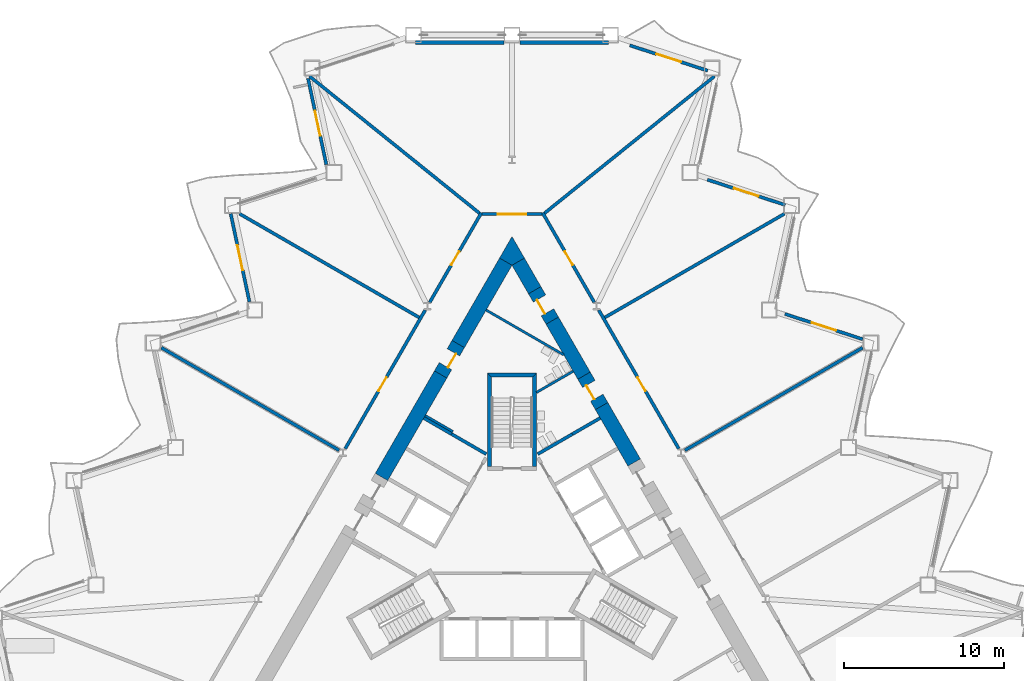
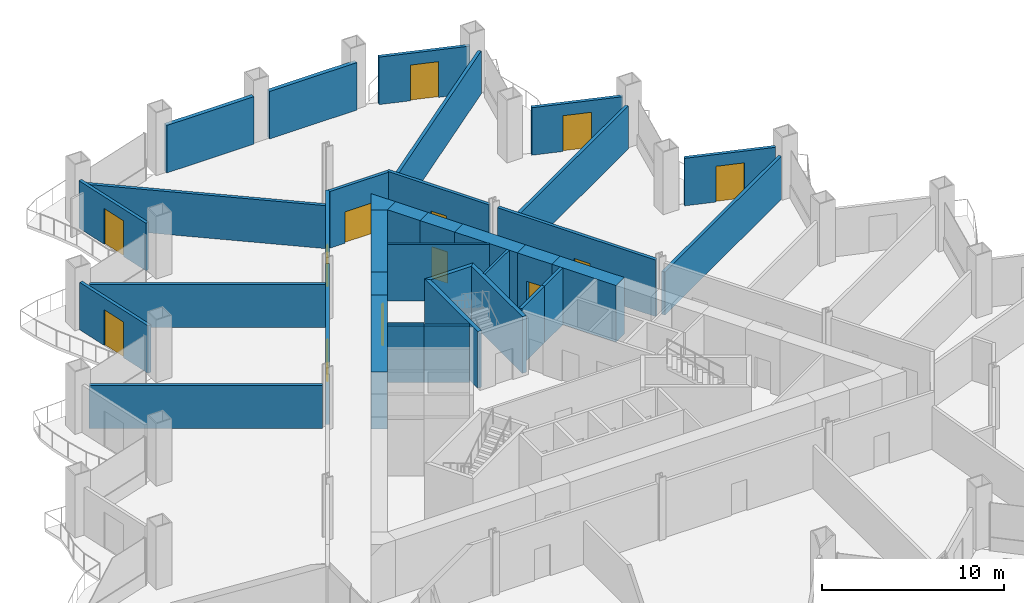
# One storey, part 12 of 21: 37 walls, 13 doors, 13 openings.
"""IFC4 building model written with IfcOpenShell, lengths in metres."""

from ifc_helpers import new_model, si_unit, direction, frame, frame_2d, origin, place, context, subcontext, project, spatial, polyline, rectangle, outline, extrude, material, layer, layer_set, type_object, element, fill, save


model = new_model("IFC4")

# Units and contexts
model_context = context("Model", 3, precision=1e-05, world=origin(), true_north=direction((0.0, 1.0)))
body_context = subcontext(model_context, "Body", "Model", "MODEL_VIEW")
ifc_project = project(units=[si_unit("LENGTHUNIT", "METRE"), si_unit("AREAUNIT", "SQUARE_METRE"), si_unit("VOLUMEUNIT", "CUBIC_METRE"), si_unit("PLANEANGLEUNIT", "RADIAN"), si_unit("MASSUNIT", "GRAM", prefix="KILO")], contexts=[model_context])

# Site, building, storey
site_placement = place(None, origin())
site = spatial("IfcSite", under=ifc_project, at=site_placement, CompositionType="ELEMENT")
building_placement = place(site_placement, origin())
building = spatial("IfcBuilding", under=site, at=building_placement, Name="Cormorant Prow Tower", CompositionType="ELEMENT")
storey_placement = place(building_placement, frame((0.0, 0.0, 42.60009765625)))
storey = spatial("IfcBuildingStorey", under=building, at=storey_placement, Name="L08", CompositionType="ELEMENT", Elevation=42.60009765625)

# Walls
ifc_material_1 = material(Name="Gypsum board partition")
ifc_layer_1 = layer(ifc_material_1, 0.14990234375)
ifc_layer_set_1 = layer_set([ifc_layer_1], Name="Gypsum board partition")
wall_type_1 = type_object("IfcWallType", Name="Core partition 150", PredefinedType="PARTITIONING", material=ifc_layer_set_1)
wall_1_placement = place(storey_placement, frame((-3.693359375, 7.4150390625, 0.0), z_axis=(0.0, 0.0, 1.0), x_axis=(-0.866035824272, 0.499981950752, 0.0)))
element("IfcWall", 1, at=wall_1_placement, inside=storey, type_object=wall_type_1, Name="Service room partition", PredefinedType="PARTITIONING", context=body_context, shape_type="SweptSolid", body=[
    extrude(rectangle(XDim=2.0087890625, YDim=0.14990234375, at=frame_2d((1.00439453125, 0.0))), origin(), (0.0, 0.0, 1.0), 3.7998046875),
])
wall_2_placement = place(storey_placement, frame((3.829345703125, 11.197265625, 0.0), z_axis=(0.0, 0.0, 1.0), x_axis=(-0.866016748302, -0.500014991436, 0.0)))
element("IfcWall", 2, at=wall_2_placement, inside=storey, type_object=wall_type_1, Name="Service room partition", PredefinedType="PARTITIONING", context=body_context, shape_type="SweptSolid", body=[
    extrude(rectangle(XDim=2.64892578125, YDim=0.14990234375, at=frame_2d((1.324462890625, 0.0))), origin(), (0.0, 0.0, 1.0), 3.7998046875),
])
wall_3_placement = place(storey_placement, frame((-1.61865234375, 15.0263671875, 0.0), z_axis=(0.0, 0.0, 1.0), x_axis=(0.866015917575, -0.500016430238, 0.0)))
element("IfcWall", 3, at=wall_3_placement, inside=storey, type_object=wall_type_1, Name="Service room partition", PredefinedType="PARTITIONING", context=body_context, shape_type="SweptSolid", body=[
    extrude(rectangle(XDim=5.607177734375, YDim=0.14990234375, at=frame_2d((2.8037109375, 0.0))), origin(), (0.0, 0.0, 1.0), 3.7998046875),
])
ifc_material_2 = material(Name="Concrete 8000 psi", Category="concrete")
ifc_layer_2 = layer(ifc_material_2, 0.89990234375)
ifc_layer_set_2 = layer_set([ifc_layer_2], Name="Concrete 8000 psi")
wall_type_2 = type_object("IfcWallType", Name="Core shear wall 900", PredefinedType="SHEAR", material=ifc_layer_set_2)
wall_4_placement = place(storey_placement, frame((7.646484375, 5.485595703125, 0.0), z_axis=(0.0, 0.0, 1.0), x_axis=(-0.499978218965, 0.866037978706, 0.0)))
element("IfcWall", 4, at=wall_4_placement, inside=storey, type_object=wall_type_2, Name="Core wall", PredefinedType="SHEAR", context=body_context, shape_type="SweptSolid", body=[
    extrude(rectangle(XDim=4.076416015625, YDim=0.89990234375, at=frame_2d((2.0380859375, 0.0))), origin(), (0.0, 0.0, 1.0), 3.7998046875),
])
wall_5_placement = place(storey_placement, frame((4.508544921875, 10.9208984375, 0.0), z_axis=(0.0, 0.0, 1.0), x_axis=(-0.49999004381, 0.866031151917, 0.0)))
element("IfcWall", 5, at=wall_5_placement, inside=storey, type_object=wall_type_2, Name="Core wall", PredefinedType="SHEAR", context=body_context, shape_type="SweptSolid", body=[
    extrude(rectangle(XDim=3.97509765625, YDim=0.89990234375, at=frame_2d((1.987548828125, 0.0))), origin(), (0.0, 0.0, 1.0), 3.7998046875),
])
wall_6_placement = place(storey_placement, frame((1.4208984375, 16.268798828125, 0.0), z_axis=(0.0, 0.0, 1.0), x_axis=(-0.500009360108, 0.866019999656, 0.0)))
element("IfcWall", 6, at=wall_6_placement, inside=storey, type_object=wall_type_2, Name="Core wall", PredefinedType="SHEAR", context=body_context, shape_type="SweptSolid", body=[
    extrude(rectangle(XDim=2.0625, YDim=0.89990234375, at=frame_2d((1.03125, 0.0))), origin(), (0.0, 0.0, 1.0), 3.7998046875),
])
wall_7_placement = place(storey_placement, frame((-4.465576171875, 10.995361328125, 0.0), z_axis=(0.0, 0.0, 1.0), x_axis=(-0.500012427149, -0.866018228848, 0.0)))
element("IfcWall", 7, at=wall_7_placement, inside=storey, type_object=wall_type_2, Name="Core wall", PredefinedType="SHEAR", context=body_context, shape_type="SweptSolid", body=[
    extrude(rectangle(XDim=7.409423828125, YDim=0.89990234375, at=frame_2d((3.70458984375, 0.0))), origin(), (0.0, 0.0, 1.0), 3.7998046875),
])
wall_8_placement = place(storey_placement, frame((-0.3896484375, 18.054931640625, 0.0), z_axis=(0.0, 0.0, 1.0), x_axis=(-0.499981657175, -0.86603599376, 0.0)))
element("IfcWall", 8, at=wall_8_placement, inside=storey, type_object=wall_type_2, Name="Core wall", PredefinedType="SHEAR", context=body_context, shape_type="SweptSolid", body=[
    extrude(rectangle(XDim=5.951904296875, YDim=0.89990234375, at=frame_2d((2.97607421875, 0.0))), origin(), (0.0, 0.0, 1.0), 3.7998046875),
])
wall_9_placement = place(storey_placement, origin())
element("IfcWall", 9, at=wall_9_placement, inside=storey, type_object=wall_type_2, Name="Core wall corner", PredefinedType="SHEAR", context=body_context, shape_type="SweptSolid", body=[
    extrude(outline(polyline([(-0.779296875, 18.27978515625), (0.0, 19.6298828125), (0.779296875, 18.27978515625), (0.0, 17.829833984375), (-0.779296875, 18.27978515625)])), origin(), (0.0, 0.0, 1.0), 3.7998046875),
])

# Wall, opening, door
wall_10_placement = place(storey_placement, frame((5.6083984375, 9.015869140625, 0.0), z_axis=(0.0, 0.0, 1.0), x_axis=(-0.499994660107, 0.866028486751, 0.0)))
wall_10 = element("IfcWall", 10, at=wall_10_placement, inside=storey, type_object=wall_type_2, Name="Core wall door panel", PredefinedType="SHEAR", context=body_context, shape_type="SweptSolid", body=[
    extrude(rectangle(XDim=2.19970703125, YDim=0.89990234375, at=frame_2d((1.099853515625, 0.0))), origin(), (0.0, 0.0, 1.0), 3.7998046875),
])
opening_1_placement = place(wall_10_placement, frame((0.60009765625, 0.0, 0.0)))
opening_1 = element("IfcOpeningElement", 11, at=opening_1_placement, cuts=wall_10, Name="Opening L08-C21", PredefinedType="OPENING", context=body_context, shape_type="SweptSolid", body=[
    extrude(rectangle(XDim=1.0, YDim=2.10009765625, at=frame_2d((0.5, 1.050048828125))), frame((0.0, 0.4599609375, 0.0), z_axis=(0.0, -1.0, 0.0), x_axis=(1.0, 0.0, 0.0)), (0.0, 0.0, 1.0), 0.919921875),
])
ifc_material_3 = material(Name="Painted steel", Category="steel")
door_type_1 = type_object("IfcDoorType", Name="Service door 1000x2100", OperationType="NOTDEFINED", PredefinedType="DOOR", material=ifc_material_3)
door_1_placement = place(opening_1_placement, origin())
door_1 = element("IfcDoor", 12, at=door_1_placement, inside=storey, type_object=door_type_1, Name="Core door, Toilets (men) L08", OperationType="SINGLE_SWING_LEFT", OverallHeight=2.10009765625, OverallWidth=1.0, PredefinedType="DOOR", context=body_context, shape_type="SweptSolid", body=[
    extrude(rectangle(XDim=1.0, YDim=2.10009765625, at=frame_2d((0.5, 1.050048828125))), frame((0.0, 0.205078125, 0.0), z_axis=(0.0, -1.0, 0.0), x_axis=(1.0, 0.0, 0.0)), (0.0, 0.0, 1.0), 0.050048828125),
])
fill(opening_1, door_1)

wall_11_placement = place(storey_placement, frame((-3.365478515625, 12.900390625, 0.0), z_axis=(0.0, 0.0, 1.0), x_axis=(-0.500077893725, -0.86598042715, 0.0)))
wall_11 = element("IfcWall", 13, at=wall_11_placement, inside=storey, type_object=wall_type_2, Name="Core wall door panel", PredefinedType="SHEAR", context=body_context, shape_type="SweptSolid", body=[
    extrude(rectangle(XDim=2.199951171875, YDim=0.89990234375, at=frame_2d((1.10009765625, 0.0))), origin(), (0.0, 0.0, 1.0), 3.7998046875),
])
opening_2_placement = place(wall_11_placement, frame((0.60009765625, 0.0, 0.0)))
opening_2 = element("IfcOpeningElement", 14, at=opening_2_placement, cuts=wall_11, Name="Opening L08-C22", PredefinedType="OPENING", context=body_context, shape_type="SweptSolid", body=[
    extrude(rectangle(XDim=1.0, YDim=2.10009765625, at=frame_2d((0.5, 1.050048828125))), frame((0.0, 0.4599609375, 0.0), z_axis=(0.0, -1.0, 0.0), x_axis=(1.0, 0.0, 0.0)), (0.0, 0.0, 1.0), 0.919921875),
])
door_2_placement = place(opening_2_placement, origin())
door_2 = element("IfcDoor", 15, at=door_2_placement, inside=storey, type_object=door_type_1, Name="Core door, Toilets (women) L08", OperationType="SINGLE_SWING_LEFT", OverallHeight=2.10009765625, OverallWidth=1.0, PredefinedType="DOOR", context=body_context, shape_type="SweptSolid", body=[
    extrude(rectangle(XDim=1.0, YDim=2.10009765625, at=frame_2d((0.5, 1.050048828125))), frame((0.0, 0.205078125, 0.0), z_axis=(0.0, -1.0, 0.0), x_axis=(1.0, 0.0, 0.0)), (0.0, 0.0, 1.0), 0.050048828125),
])
fill(opening_2, door_2)

wall_12_placement = place(storey_placement, frame((2.52099609375, 14.363525390625, 0.0), z_axis=(0.0, 0.0, 1.0), x_axis=(-0.50002983664, 0.866008176907, 0.0)))
wall_12 = element("IfcWall", 16, at=wall_12_placement, inside=storey, type_object=wall_type_2, Name="Core wall door panel", PredefinedType="SHEAR", context=body_context, shape_type="SweptSolid", body=[
    extrude(rectangle(XDim=2.199951171875, YDim=0.89990234375, at=frame_2d((1.10009765625, 0.0))), origin(), (0.0, 0.0, 1.0), 3.7998046875),
])
opening_3_placement = place(wall_12_placement, frame((0.60009765625, 0.0, 0.0)))
opening_3 = element("IfcOpeningElement", 17, at=opening_3_placement, cuts=wall_12, Name="Opening L08-C23", PredefinedType="OPENING", context=body_context, shape_type="SweptSolid", body=[
    extrude(rectangle(XDim=1.0, YDim=2.10009765625, at=frame_2d((0.5, 1.050048828125))), frame((0.0, 0.4599609375, 0.0), z_axis=(0.0, -1.0, 0.0), x_axis=(1.0, 0.0, 0.0)), (0.0, 0.0, 1.0), 0.919921875),
])
door_3_placement = place(opening_3_placement, origin())
door_3 = element("IfcDoor", 18, at=door_3_placement, inside=storey, type_object=door_type_1, Name="Core door, Telecom room", OperationType="SINGLE_SWING_LEFT", OverallHeight=2.10009765625, OverallWidth=1.0, PredefinedType="DOOR", context=body_context, shape_type="SweptSolid", body=[
    extrude(rectangle(XDim=1.0, YDim=2.10009765625, at=frame_2d((0.5, 1.050048828125))), frame((0.0, 0.205078125, 0.0), z_axis=(0.0, -1.0, 0.0), x_axis=(1.0, 0.0, 0.0)), (0.0, 0.0, 1.0), 0.050048828125),
])
fill(opening_3, door_3)

ifc_material_4 = material(Name="Gypsum board corridor wall")
ifc_layer_3 = layer(ifc_material_4, 0.199951171875)
ifc_layer_set_3 = layer_set([ifc_layer_3], Name="Gypsum board corridor wall")
wall_type_3 = type_object("IfcWallType", Name="Corridor wall 200", PredefinedType="PARTITIONING", material=ifc_layer_set_3)
wall_13_placement = place(storey_placement, frame((-10.438720703125, 6.349853515625, 0.0), z_axis=(0.0, 0.0, 1.0), x_axis=(0.50001002959, 0.86601961312, 0.0)))
wall_13 = element("IfcWall", 19, at=wall_13_placement, inside=storey, type_object=wall_type_3, Name="Corridor wall", PredefinedType="PARTITIONING", context=body_context, shape_type="SweptSolid", body=[
    extrude(rectangle(XDim=10.018798828125, YDim=0.199951171875, at=frame_2d((5.00927734375, 0.0))), origin(), (0.0, 0.0, 1.0), 3.7998046875),
])
opening_4_placement = place(wall_13_placement, frame((4.15869140625, 0.0, 0.0)))
opening_4 = element("IfcOpeningElement", 20, at=opening_4_placement, cuts=wall_13, Name="Opening L08-F15", PredefinedType="OPENING", context=body_context, shape_type="SweptSolid", body=[
    extrude(rectangle(XDim=1.0, YDim=2.10009765625, at=frame_2d((0.5, 1.050048828125))), frame((0.0, 0.10986328125, 0.0), z_axis=(0.0, -1.0, 0.0), x_axis=(1.0, 0.0, 0.0)), (0.0, 0.0, 1.0), 0.219970703125),
])
ifc_material_5 = material(Name="Timber door leaf", Category="wood")
door_type_2 = type_object("IfcDoorType", Name="Office door 1000x2100", OperationType="NOTDEFINED", PredefinedType="DOOR", material=ifc_material_5)
door_4_placement = place(opening_4_placement, origin())
door_4 = element("IfcDoor", 21, at=door_4_placement, inside=storey, type_object=door_type_2, Name="Tenant suite door", OperationType="SINGLE_SWING_RIGHT", OverallHeight=2.10009765625, OverallWidth=1.0, PredefinedType="DOOR", context=body_context, shape_type="SweptSolid", body=[
    extrude(rectangle(XDim=1.0, YDim=2.10009765625, at=frame_2d((0.5, 1.050048828125))), frame((0.0, 0.02490234375, 0.0), z_axis=(0.0, -1.0, 0.0), x_axis=(1.0, 0.0, 0.0)), (0.0, 0.0, 1.0), 0.050048828125),
])
fill(opening_4, door_4)

wall_14_placement = place(storey_placement, frame((5.42919921875, 15.0263671875, 0.0), z_axis=(0.0, 0.0, 1.0), x_axis=(0.50001002959, -0.86601961312, 0.0)))
wall_14 = element("IfcWall", 22, at=wall_14_placement, inside=storey, type_object=wall_type_3, Name="Corridor wall", PredefinedType="PARTITIONING", context=body_context, shape_type="SweptSolid", body=[
    extrude(rectangle(XDim=10.018798828125, YDim=0.199951171875, at=frame_2d((5.00927734375, 0.0))), origin(), (0.0, 0.0, 1.0), 3.7998046875),
])
opening_5_placement = place(wall_14_placement, frame((4.860107421875, 0.0, 0.0)))
opening_5 = element("IfcOpeningElement", 23, at=opening_5_placement, cuts=wall_14, Name="Opening L08-F11", PredefinedType="OPENING", context=body_context, shape_type="SweptSolid", body=[
    extrude(rectangle(XDim=1.0, YDim=2.10009765625, at=frame_2d((0.5, 1.050048828125))), frame((0.0, 0.10986328125, 0.0), z_axis=(0.0, -1.0, 0.0), x_axis=(1.0, 0.0, 0.0)), (0.0, 0.0, 1.0), 0.219970703125),
])
door_5_placement = place(opening_5_placement, origin())
door_5 = element("IfcDoor", 24, at=door_5_placement, inside=storey, type_object=door_type_2, Name="Co-working room door", OperationType="SINGLE_SWING_LEFT", OverallHeight=2.10009765625, OverallWidth=1.0, PredefinedType="DOOR", context=body_context, shape_type="SweptSolid", body=[
    extrude(rectangle(XDim=1.0, YDim=2.10009765625, at=frame_2d((0.5, 1.050048828125))), frame((0.0, 0.02490234375, 0.0), z_axis=(0.0, -1.0, 0.0), x_axis=(1.0, 0.0, 0.0)), (0.0, 0.0, 1.0), 0.050048828125),
])
fill(opening_5, door_5)

wall_15_placement = place(storey_placement, frame((1.9130859375, 21.116455078125, 0.0), z_axis=(0.0, 0.0, 1.0), x_axis=(0.500001069878, -0.866024786089, 0.0)))
wall_15 = element("IfcWall", 25, at=wall_15_placement, inside=storey, type_object=wall_type_3, Name="Corridor wall", PredefinedType="PARTITIONING", context=body_context, shape_type="SweptSolid", body=[
    extrude(rectangle(XDim=6.47265625, YDim=0.199951171875, at=frame_2d((3.236328125, 0.0))), origin(), (0.0, 0.0, 1.0), 3.7998046875),
])
opening_6_placement = place(wall_15_placement, frame((2.787109375, 0.0, 0.0)))
opening_6 = element("IfcOpeningElement", 26, at=opening_6_placement, cuts=wall_15, Name="Opening L08-F12", PredefinedType="OPENING", context=body_context, shape_type="SweptSolid", body=[
    extrude(rectangle(XDim=1.0, YDim=2.10009765625, at=frame_2d((0.5, 1.050048828125))), frame((0.0, 0.10986328125, 0.0), z_axis=(0.0, -1.0, 0.0), x_axis=(1.0, 0.0, 0.0)), (0.0, 0.0, 1.0), 0.219970703125),
])
door_6_placement = place(opening_6_placement, origin())
door_6 = element("IfcDoor", 27, at=door_6_placement, inside=storey, type_object=door_type_2, Name="Tenant suite door", OperationType="SINGLE_SWING_LEFT", OverallHeight=2.10009765625, OverallWidth=1.0, PredefinedType="DOOR", context=body_context, shape_type="SweptSolid", body=[
    extrude(rectangle(XDim=1.0, YDim=2.10009765625, at=frame_2d((0.5, 1.050048828125))), frame((0.0, 0.02490234375, 0.0), z_axis=(0.0, -1.0, 0.0), x_axis=(1.0, 0.0, 0.0)), (0.0, 0.0, 1.0), 0.050048828125),
])
fill(opening_6, door_6)

wall_16_placement = place(storey_placement, frame((-5.1494140625, 15.510986328125, 0.0), z_axis=(0.0, 0.0, 1.0), x_axis=(0.500001069878, 0.866024786089, 0.0)))
wall_16 = element("IfcWall", 28, at=wall_16_placement, inside=storey, type_object=wall_type_3, Name="Corridor wall", PredefinedType="PARTITIONING", context=body_context, shape_type="SweptSolid", body=[
    extrude(rectangle(XDim=6.47265625, YDim=0.199951171875, at=frame_2d((3.236328125, 0.0))), origin(), (0.0, 0.0, 1.0), 3.7998046875),
])
opening_7_placement = place(wall_16_placement, frame((2.685546875, 0.0, 0.0)))
opening_7 = element("IfcOpeningElement", 29, at=opening_7_placement, cuts=wall_16, Name="Opening L08-F14", PredefinedType="OPENING", context=body_context, shape_type="SweptSolid", body=[
    extrude(rectangle(XDim=1.0, YDim=2.10009765625, at=frame_2d((0.5, 1.050048828125))), frame((0.0, 0.10986328125, 0.0), z_axis=(0.0, -1.0, 0.0), x_axis=(1.0, 0.0, 0.0)), (0.0, 0.0, 1.0), 0.219970703125),
])
door_7_placement = place(opening_7_placement, origin())
door_7 = element("IfcDoor", 30, at=door_7_placement, inside=storey, type_object=door_type_2, Name="Open-plan office door", OperationType="SINGLE_SWING_RIGHT", OverallHeight=2.10009765625, OverallWidth=1.0, PredefinedType="DOOR", context=body_context, shape_type="SweptSolid", body=[
    extrude(rectangle(XDim=1.0, YDim=2.10009765625, at=frame_2d((0.5, 1.050048828125))), frame((0.0, 0.02490234375, 0.0), z_axis=(0.0, -1.0, 0.0), x_axis=(1.0, 0.0, 0.0)), (0.0, 0.0, 1.0), 0.050048828125),
])
fill(opening_7, door_7)

wall_17_placement = place(storey_placement, frame((-1.863037109375, 21.02978515625, 0.0), z_axis=(0.0, 0.0, 1.0), x_axis=(1.0, 0.0, 0.0)))
wall_17 = element("IfcWall", 31, at=wall_17_placement, inside=storey, type_object=wall_type_3, Name="Corridor wall", PredefinedType="PARTITIONING", context=body_context, shape_type="SweptSolid", body=[
    extrude(rectangle(XDim=3.72607421875, YDim=0.199951171875, at=frame_2d((1.863037109375, 0.0))), origin(), (0.0, 0.0, 1.0), 3.7998046875),
])
opening_8_placement = place(wall_17_placement, frame((0.962890625, 0.0, 0.0)))
opening_8 = element("IfcOpeningElement", 32, at=opening_8_placement, cuts=wall_17, Name="Opening L08-F13", PredefinedType="OPENING", context=body_context, shape_type="SweptSolid", body=[
    extrude(rectangle(XDim=1.800048828125, YDim=2.10009765625, at=frame_2d((0.89990234375, 1.050048828125))), frame((0.0, 0.10986328125, 0.0), z_axis=(0.0, -1.0, 0.0), x_axis=(1.0, 0.0, 0.0)), (0.0, 0.0, 1.0), 0.219970703125),
])
ifc_material_6 = material(Name="Timber door leaf", Category="wood")
door_type_3 = type_object("IfcDoorType", Name="Double door 1800x2100", OperationType="DOUBLE_DOOR_SINGLE_SWING", PredefinedType="DOOR", material=ifc_material_6)
door_8_placement = place(opening_8_placement, origin())
door_8 = element("IfcDoor", 33, at=door_8_placement, inside=storey, type_object=door_type_3, Name="Open-plan office door", OperationType="DOUBLE_DOOR_SINGLE_SWING", OverallHeight=2.10009765625, OverallWidth=1.800048828125, PredefinedType="DOOR", context=body_context, shape_type="SweptSolid", body=[
    extrude(rectangle(XDim=1.800048828125, YDim=2.10009765625, at=frame_2d((0.89990234375, 1.050048828125))), frame((0.0, 0.02490234375, 0.0), z_axis=(0.0, -1.0, 0.0), x_axis=(1.0, 0.0, 0.0)), (0.0, 0.0, 1.0), 0.050048828125),
])
fill(opening_8, door_8)

# Walls
ifc_material_7 = material(Name="Gypsum board demising wall")
ifc_layer_4 = layer(ifc_material_7, 0.199951171875)
ifc_layer_set_4 = layer_set([ifc_layer_4], Name="Gypsum board demising wall")
wall_type_4 = type_object("IfcWallType", Name="Demising wall 200", PredefinedType="PARTITIONING", material=ifc_layer_set_4)
for number, where, z_axis, x_axis, name in (
    (34, (2.041015625, 21.092529296875, 0.0), (0.0, 0.0, 1.0), (0.778730857737, 0.627358152261, 0.0), "Demising wall"),
    (35, (-12.674072265625, 29.65869140625, 0.0), (0.0, 0.0, 1.0), (0.778730857737, -0.627358152261, 0.0), "Demising wall"),
):
    element("IfcWall", number, at=place(storey_placement, frame(where, z_axis=z_axis, x_axis=x_axis)), inside=storey, type_object=wall_type_4, Name=name, PredefinedType="PARTITIONING", context=body_context, shape_type="SweptSolid", body=[
        extrude(rectangle(XDim=13.654296875, YDim=0.199951171875, at=frame_2d((6.8271484375, 0.0))), origin(), (0.0, 0.0, 1.0), 2.88525390625),
    ])
for number, where, z_axis, x_axis, name in (
    (36, (5.8125, 14.5625, 0.0), (0.0, 0.0, 1.0), (0.866020631549, 0.500008265664, 0.0), "Demising wall"),
    (37, (-17.061279296875, 21.05712890625, 0.0), (0.0, 0.0, 1.0), (0.866020631549, -0.500008265664, 0.0), "Demising wall"),
):
    element("IfcWall", number, at=place(storey_placement, frame(where, z_axis=z_axis, x_axis=x_axis)), inside=storey, type_object=wall_type_4, Name=name, PredefinedType="PARTITIONING", context=body_context, shape_type="SweptSolid", body=[
        extrude(rectangle(XDim=12.989013671875, YDim=0.199951171875, at=frame_2d((6.49462890625, 0.0))), origin(), (0.0, 0.0, 1.0), 2.88525390625),
    ])
for number, where, z_axis, x_axis, name in (
    (38, (10.82080078125, 6.247314453125, 0.0), (0.0, 0.0, 1.0), (0.866026729935, 0.499997703033, 0.0), "Demising wall"),
    (39, (-21.947265625, 12.671142578125, 0.0), (0.0, 0.0, 1.0), (0.866026729935, -0.499997703033, 0.0), "Demising wall"),
):
    element("IfcWall", number, at=place(storey_placement, frame(where, z_axis=z_axis, x_axis=x_axis)), inside=storey, type_object=wall_type_4, Name=name, PredefinedType="PARTITIONING", context=body_context, shape_type="SweptSolid", body=[
        extrude(rectangle(XDim=12.84765625, YDim=0.199951171875, at=frame_2d((6.423828125, 0.0))), origin(), (0.0, 0.0, 1.0), 2.88525390625),
    ])
ifc_material_8 = material(Name="Concrete 8000 psi", Category="concrete")
ifc_layer_5 = layer(ifc_material_8, 0.199951171875)
ifc_layer_set_5 = layer_set([ifc_layer_5], Name="Concrete 8000 psi")
wall_type_5 = type_object("IfcWallType", Name="Lift shaft wall 200", PredefinedType="SHEAR", material=ifc_layer_set_5)
wall_18_placement = place(storey_placement, origin())
element("IfcWall", 40, at=wall_18_placement, inside=storey, type_object=wall_type_5, Name="Lift shaft walls, ENE block", PredefinedType="SHEAR", context=body_context, shape_type="SweptSolid", body=[
    extrude(outline(polyline([(1.560546875, 6.09716796875), (3.730712890625, 7.35009765625), (3.830810546875, 7.177001953125), (1.660400390625, 5.923828125), (1.560546875, 6.09716796875)])), origin(), (0.0, 0.0, 1.0), 3.7998046875),
])
wall_19_placement = place(storey_placement, frame((3.78076171875, 7.263427734375, 0.0), z_axis=(0.0, 0.0, 1.0), x_axis=(0.865983199114, 0.50007309351, 0.0)))
element("IfcWall", 41, at=wall_19_placement, inside=storey, type_object=wall_type_5, Name="Store side wall", PredefinedType="SHEAR", context=body_context, shape_type="SweptSolid", body=[
    extrude(rectangle(XDim=2.009033203125, YDim=0.199951171875, at=frame_2d((1.00439453125, 0.0))), origin(), (0.0, 0.0, 1.0), 3.7998046875),
])
wall_20_placement = place(storey_placement, origin())
element("IfcWall", 42, at=wall_20_placement, inside=storey, type_object=wall_type_5, Name="Lift shaft walls, WNW block", PredefinedType="SHEAR", context=body_context, shape_type="SweptSolid", body=[
    extrude(outline(polyline([(-3.730712890625, 7.35009765625), (-1.560546875, 6.09716796875), (-1.660400390625, 5.923828125), (-3.830810546875, 7.177001953125), (-3.730712890625, 7.35009765625)])), origin(), (0.0, 0.0, 1.0), 3.7998046875),
])
wall_21_placement = place(storey_placement, frame((-3.78076171875, 7.263427734375, 0.0), z_axis=(0.0, 0.0, 1.0), x_axis=(-0.865983199114, 0.50007309351, 0.0)))
element("IfcWall", 43, at=wall_21_placement, inside=storey, type_object=wall_type_5, Name="Store side wall", PredefinedType="SHEAR", context=body_context, shape_type="SweptSolid", body=[
    extrude(rectangle(XDim=2.009033203125, YDim=0.199951171875, at=frame_2d((1.00439453125, 0.0))), origin(), (0.0, 0.0, 1.0), 3.7998046875),
])
ifc_material_9 = material(Name="Concrete 8000 psi", Category="concrete")
ifc_layer_6 = layer(ifc_material_9, 0.25)
ifc_layer_set_6 = layer_set([ifc_layer_6], Name="Concrete 8000 psi")
wall_type_6 = type_object("IfcWallType", Name="Stair wall 250", PredefinedType="SHEAR", material=ifc_layer_set_6)
wall_22_placement = place(storey_placement, origin())
element("IfcWall", 44, at=wall_22_placement, inside=storey, type_object=wall_type_6, Name="Stair ST3 enclosure wall (flank)", PredefinedType="SHEAR", context=body_context, shape_type="SweptSolid", body=[
    extrude(outline(polyline([(1.5439453125, 5.23681640625), (1.5439453125, 11.0869140625), (1.2939453125, 10.8369140625), (1.2939453125, 5.23681640625), (1.5439453125, 5.23681640625)])), origin(), (0.0, 0.0, 1.0), 3.7998046875),
])
wall_23_placement = place(storey_placement, origin())
element("IfcWall", 45, at=wall_23_placement, inside=storey, type_object=wall_type_6, Name="Stair ST3 enclosure wall (end)", PredefinedType="SHEAR", context=body_context, shape_type="SweptSolid", body=[
    extrude(outline(polyline([(1.5439453125, 11.0869140625), (-1.5439453125, 11.0869140625), (-1.2939453125, 10.8369140625), (1.2939453125, 10.8369140625), (1.5439453125, 11.0869140625)])), origin(), (0.0, 0.0, 1.0), 3.7998046875),
])
wall_24_placement = place(storey_placement, origin())
element("IfcWall", 46, at=wall_24_placement, inside=storey, type_object=wall_type_6, Name="Stair ST3 enclosure wall (flank)", PredefinedType="SHEAR", context=body_context, shape_type="SweptSolid", body=[
    extrude(outline(polyline([(-1.2939453125, 10.8369140625), (-1.5439453125, 11.0869140625), (-1.5439453125, 5.23681640625), (-1.2939453125, 5.23681640625), (-1.2939453125, 10.8369140625)])), origin(), (0.0, 0.0, 1.0), 3.7998046875),
])
ifc_material_10 = material(Name="Terracotta", Category="masonry")
ifc_layer_7 = layer(ifc_material_10, 0.25)
ifc_layer_set_7 = layer_set([ifc_layer_7], Name="Terracotta")
wall_type_7 = type_object("IfcWallType", Name="Terracotta bay wall 250", PredefinedType="SOLIDWALL", material=ifc_layer_set_7)
for number, where, z_axis, x_axis, name in (
    (47, (6.03369140625, 31.78125, 0.0), (0.0, 0.0, 1.0), (-1.0, 0.0, 0.0), "Terracotta bay wall N00"),
    (48, (-0.5, 31.78125, 0.0), (0.0, 0.0, 1.0), (-1.0, 0.0, 0.0), "Terracotta bay wall N01"),
):
    element("IfcWall", number, at=place(storey_placement, frame(where, z_axis=z_axis, x_axis=x_axis)), inside=storey, type_object=wall_type_7, Name=name, PredefinedType="SOLIDWALL", context=body_context, shape_type="SweptSolid", body=[
        extrude(rectangle(XDim=5.53369140625, YDim=0.25, at=frame_2d((2.766845703125, 0.0))), origin(), (0.0, 0.0, 1.0), 3.188720703125),
    ])

# Wall, opening, door
ifc_material_11 = material(Name="Terracotta", Category="masonry")
ifc_layer_8 = layer(ifc_material_11, 0.199951171875)
ifc_layer_set_8 = layer_set([ifc_layer_8], Name="Terracotta")
wall_type_8 = type_object("IfcWallType", Name="Terracotta jamb wall 200", PredefinedType="SOLIDWALL", material=ifc_layer_set_8)
wall_25_placement = place(storey_placement, frame((21.952880859375, 13.200439453125, 0.0), z_axis=(0.0, 0.0, 1.0), x_axis=(-0.951052624268, 0.309028972547, 0.0)))
wall_25 = element("IfcWall", 49, at=wall_25_placement, inside=storey, type_object=wall_type_8, Name="Terracotta jamb wall ENE05", PredefinedType="SOLIDWALL", context=body_context, shape_type="SweptSolid", body=[
    extrude(rectangle(XDim=5.1240234375, YDim=0.199951171875, at=frame_2d((2.56201171875, 0.0))), origin(), (0.0, 0.0, 1.0), 3.188720703125),
])
opening_9_placement = place(wall_25_placement, frame((1.761962890625, 0.0, 0.0)))
opening_9 = element("IfcOpeningElement", 50, at=opening_9_placement, cuts=wall_25, Name="Opening ED08.08", PredefinedType="OPENING", context=body_context, shape_type="SweptSolid", body=[
    extrude(rectangle(XDim=1.60009765625, YDim=2.39990234375, at=frame_2d((0.800048828125, 1.199951171875))), frame((0.0, 0.10986328125, 0.0), z_axis=(0.0, -1.0, 0.0), x_axis=(1.0, 0.0, 0.0)), (0.0, 0.0, 1.0), 0.219970703125),
])
ifc_material_12 = material(Name="Aluminium 6063-T6", Category="aluminium")
door_type_4 = type_object("IfcDoorType", Name="Balcony door 1600x2400", OperationType="DOUBLE_DOOR_SINGLE_SWING", PredefinedType="DOOR", material=ifc_material_12)
door_9_placement = place(opening_9_placement, origin())
door_9 = element("IfcDoor", 51, at=door_9_placement, inside=storey, type_object=door_type_4, Name="Balcony door ENE05 ED08.08", OperationType="DOUBLE_DOOR_SINGLE_SWING", OverallHeight=2.39990234375, OverallWidth=1.60009765625, PredefinedType="DOOR", context=body_context, shape_type="SweptSolid", body=[
    extrude(rectangle(XDim=1.60009765625, YDim=2.39990234375, at=frame_2d((0.800048828125, 1.199951171875))), frame((0.0, 0.02490234375, 0.0), z_axis=(0.0, -1.0, 0.0), x_axis=(1.0, 0.0, 0.0)), (0.0, 0.0, 1.0), 0.050048828125),
])
fill(opening_9, door_9)

wall_26_placement = place(storey_placement, frame((17.10009765625, 21.60546875, 0.0), z_axis=(0.0, 0.0, 1.0), x_axis=(-0.951048073862, 0.309042976306, 0.0)))
wall_26 = element("IfcWall", 52, at=wall_26_placement, inside=storey, type_object=wall_type_8, Name="Terracotta jamb wall ENE07", PredefinedType="SOLIDWALL", context=body_context, shape_type="SweptSolid", body=[
    extrude(rectangle(XDim=5.123779296875, YDim=0.199951171875, at=frame_2d((2.56201171875, 0.0))), origin(), (0.0, 0.0, 1.0), 3.188720703125),
])
opening_10_placement = place(wall_26_placement, frame((1.761962890625, 0.0, 0.0)))
opening_10 = element("IfcOpeningElement", 53, at=opening_10_placement, cuts=wall_26, Name="Opening ED08.09", PredefinedType="OPENING", context=body_context, shape_type="SweptSolid", body=[
    extrude(rectangle(XDim=1.60009765625, YDim=2.39990234375, at=frame_2d((0.800048828125, 1.199951171875))), frame((0.0, 0.10986328125, 0.0), z_axis=(0.0, -1.0, 0.0), x_axis=(1.0, 0.0, 0.0)), (0.0, 0.0, 1.0), 0.219970703125),
])
door_10_placement = place(opening_10_placement, origin())
door_10 = element("IfcDoor", 54, at=door_10_placement, inside=storey, type_object=door_type_4, Name="Balcony door ENE07 ED08.09", OperationType="DOUBLE_DOOR_SINGLE_SWING", OverallHeight=2.39990234375, OverallWidth=1.60009765625, PredefinedType="DOOR", context=body_context, shape_type="SweptSolid", body=[
    extrude(rectangle(XDim=1.60009765625, YDim=2.39990234375, at=frame_2d((0.800048828125, 1.199951171875))), frame((0.0, 0.02490234375, 0.0), z_axis=(0.0, -1.0, 0.0), x_axis=(1.0, 0.0, 0.0)), (0.0, 0.0, 1.0), 0.050048828125),
])
fill(opening_10, door_10)

wall_27_placement = place(storey_placement, frame((12.24755859375, 30.010498046875, 0.0), z_axis=(0.0, 0.0, 1.0), x_axis=(-0.951052624268, 0.309028972547, 0.0)))
wall_27 = element("IfcWall", 55, at=wall_27_placement, inside=storey, type_object=wall_type_8, Name="Terracotta jamb wall ENE09", PredefinedType="SOLIDWALL", context=body_context, shape_type="SweptSolid", body=[
    extrude(rectangle(XDim=5.1240234375, YDim=0.199951171875, at=frame_2d((2.56201171875, 0.0))), origin(), (0.0, 0.0, 1.0), 3.188720703125),
])
opening_11_placement = place(wall_27_placement, frame((1.761962890625, 0.0, 0.0)))
opening_11 = element("IfcOpeningElement", 56, at=opening_11_placement, cuts=wall_27, Name="Opening ED08.10", PredefinedType="OPENING", context=body_context, shape_type="SweptSolid", body=[
    extrude(rectangle(XDim=1.60009765625, YDim=2.39990234375, at=frame_2d((0.800048828125, 1.199951171875))), frame((0.0, 0.10986328125, 0.0), z_axis=(0.0, -1.0, 0.0), x_axis=(1.0, 0.0, 0.0)), (0.0, 0.0, 1.0), 0.219970703125),
])
door_11_placement = place(opening_11_placement, origin())
door_11 = element("IfcDoor", 57, at=door_11_placement, inside=storey, type_object=door_type_4, Name="Balcony door ENE09 ED08.10", OperationType="DOUBLE_DOOR_SINGLE_SWING", OverallHeight=2.39990234375, OverallWidth=1.60009765625, PredefinedType="DOOR", context=body_context, shape_type="SweptSolid", body=[
    extrude(rectangle(XDim=1.60009765625, YDim=2.39990234375, at=frame_2d((0.800048828125, 1.199951171875))), frame((0.0, 0.02490234375, 0.0), z_axis=(0.0, -1.0, 0.0), x_axis=(1.0, 0.0, 0.0)), (0.0, 0.0, 1.0), 0.050048828125),
])
fill(opening_11, door_11)

wall_28_placement = place(storey_placement, frame((-12.767822265625, 29.526123046875, 0.0), z_axis=(0.0, 0.0, 1.0), x_axis=(0.207902173992, -0.978149623549, 0.0)))
wall_28 = element("IfcWall", 58, at=wall_28_placement, inside=storey, type_object=wall_type_8, Name="Terracotta jamb wall WNW01", PredefinedType="SOLIDWALL", context=body_context, shape_type="SweptSolid", body=[
    extrude(rectangle(XDim=5.5146484375, YDim=0.199951171875, at=frame_2d((2.75732421875, 0.0))), origin(), (0.0, 0.0, 1.0), 3.188720703125),
])
opening_12_placement = place(wall_28_placement, frame((2.0732421875, 0.0, 0.0)))
opening_12 = element("IfcOpeningElement", 59, at=opening_12_placement, cuts=wall_28, Name="Opening ED08.11", PredefinedType="OPENING", context=body_context, shape_type="SweptSolid", body=[
    extrude(rectangle(XDim=1.60009765625, YDim=2.39990234375, at=frame_2d((0.800048828125, 1.199951171875))), frame((0.0, 0.10986328125, 0.0), z_axis=(0.0, -1.0, 0.0), x_axis=(1.0, 0.0, 0.0)), (0.0, 0.0, 1.0), 0.219970703125),
])
door_12_placement = place(opening_12_placement, origin())
door_12 = element("IfcDoor", 60, at=door_12_placement, inside=storey, type_object=door_type_4, Name="Balcony door WNW01 ED08.11", OperationType="DOUBLE_DOOR_SINGLE_SWING", OverallHeight=2.39990234375, OverallWidth=1.60009765625, PredefinedType="DOOR", context=body_context, shape_type="SweptSolid", body=[
    extrude(rectangle(XDim=1.60009765625, YDim=2.39990234375, at=frame_2d((0.800048828125, 1.199951171875))), frame((0.0, 0.02490234375, 0.0), z_axis=(0.0, -1.0, 0.0), x_axis=(1.0, 0.0, 0.0)), (0.0, 0.0, 1.0), 0.050048828125),
])
fill(opening_12, door_12)

wall_29_placement = place(storey_placement, frame((-17.60546875, 21.050537109375, 0.0), z_axis=(0.0, 0.0, 1.0), x_axis=(0.207901831982, -0.978149696242, 0.0)))
wall_29 = element("IfcWall", 61, at=wall_29_placement, inside=storey, type_object=wall_type_8, Name="Terracotta jamb wall WNW03", PredefinedType="SOLIDWALL", context=body_context, shape_type="SweptSolid", body=[
    extrude(rectangle(XDim=5.626220703125, YDim=0.199951171875, at=frame_2d((2.81298828125, 0.0))), origin(), (0.0, 0.0, 1.0), 3.188720703125),
])
opening_13_placement = place(wall_29_placement, frame((2.001220703125, 0.0, 0.0)))
opening_13 = element("IfcOpeningElement", 62, at=opening_13_placement, cuts=wall_29, Name="Opening ED08.12", PredefinedType="OPENING", context=body_context, shape_type="SweptSolid", body=[
    extrude(rectangle(XDim=1.60009765625, YDim=2.39990234375, at=frame_2d((0.800048828125, 1.199951171875))), frame((0.0, 0.10986328125, 0.0), z_axis=(0.0, -1.0, 0.0), x_axis=(1.0, 0.0, 0.0)), (0.0, 0.0, 1.0), 0.219970703125),
])
door_13_placement = place(opening_13_placement, origin())
door_13 = element("IfcDoor", 63, at=door_13_placement, inside=storey, type_object=door_type_4, Name="Balcony door WNW03 ED08.12", OperationType="DOUBLE_DOOR_SINGLE_SWING", OverallHeight=2.39990234375, OverallWidth=1.60009765625, PredefinedType="DOOR", context=body_context, shape_type="SweptSolid", body=[
    extrude(rectangle(XDim=1.60009765625, YDim=2.39990234375, at=frame_2d((0.800048828125, 1.199951171875))), frame((0.0, 0.02490234375, 0.0), z_axis=(0.0, -1.0, 0.0), x_axis=(1.0, 0.0, 0.0)), (0.0, 0.0, 1.0), 0.050048828125),
])
fill(opening_13, door_13)

save(model, "model.ifc")
